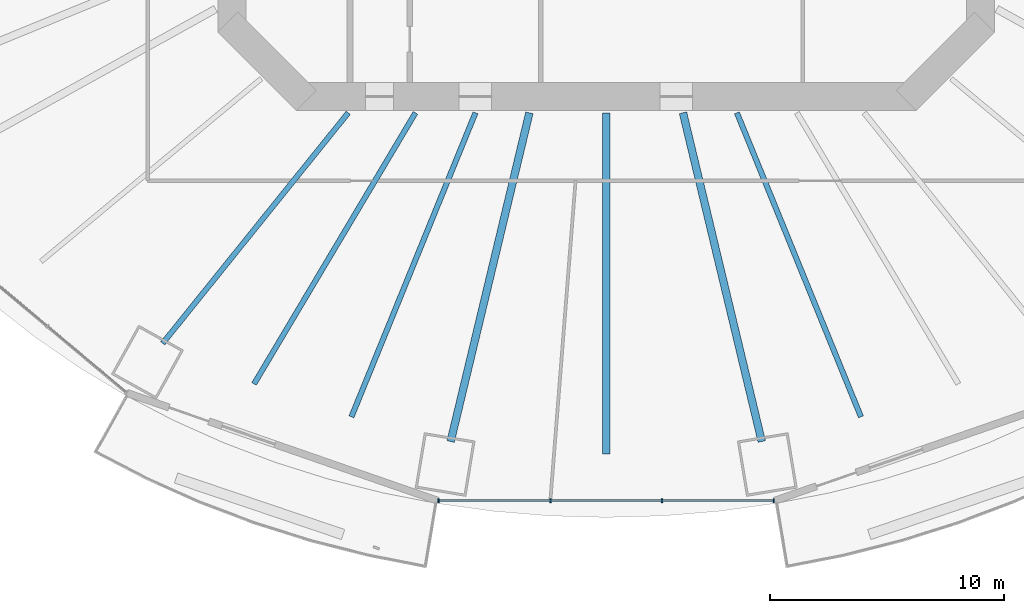
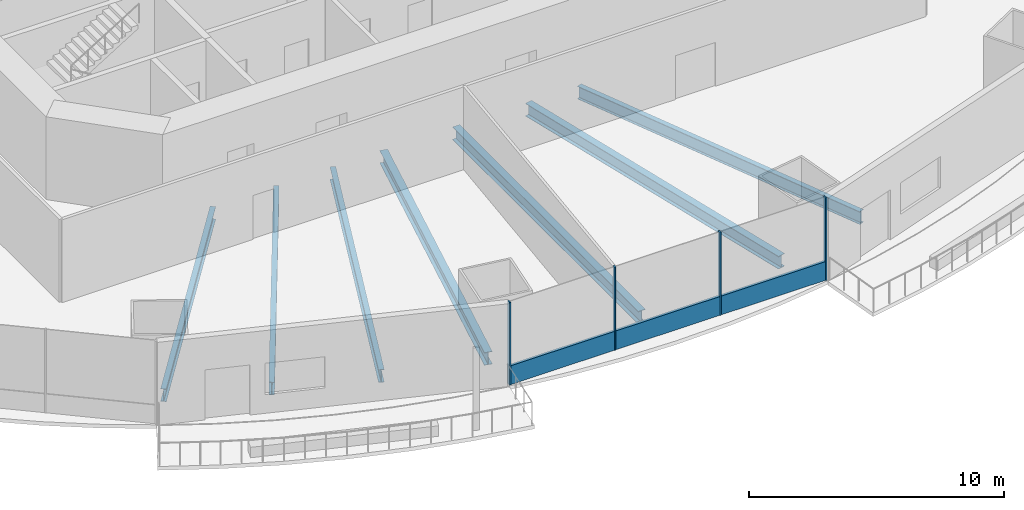
# One storey, part 5 of 27: 7 beams, 5 members, 1 element without a shape of its own.
"""IFC4 building model written with IfcOpenShell, lengths in metres."""

from ifc_helpers import new_model, si_unit, direction, frame, origin, origin_2d, place, context, subcontext, project, spatial, rectangle, i_section, extrude, material, material_profile, profile_set, type_object, element, aggregate, save


model = new_model("IFC4")

# Units and contexts
model_context = context("Model", 3, precision=1e-05, world=origin(), true_north=direction((0.0, 1.0)))
body_context = subcontext(model_context, "Body", "Model", "MODEL_VIEW")
ifc_project = project(units=[si_unit("LENGTHUNIT", "METRE"), si_unit("AREAUNIT", "SQUARE_METRE"), si_unit("VOLUMEUNIT", "CUBIC_METRE"), si_unit("PLANEANGLEUNIT", "RADIAN"), si_unit("MASSUNIT", "GRAM", prefix="KILO")], contexts=[model_context])

# Site, building, storey
site_placement = place(None, origin())
site = spatial("IfcSite", under=ifc_project, at=site_placement, CompositionType="ELEMENT")
building_placement = place(site_placement, origin())
building = spatial("IfcBuilding", under=site, at=building_placement, Name="Marenthal Gate Tower", CompositionType="ELEMENT")
storey_placement = place(building_placement, frame((0.0, 0.0, 33.0)))
storey = spatial("IfcBuildingStorey", under=building, at=storey_placement, Name="L04", CompositionType="ELEMENT", Elevation=33.0)

# Curtain wall, members
ifc_material_1 = material(Name="Aluminium and glass", Category="aluminium")
curtain_wall_type = type_object("IfcCurtainWallType", Name="Curtain wall typical low", PredefinedType="NOTDEFINED", material=ifc_material_1)
curtain_wall_placement = place(storey_placement, origin())
curtain_wall = element("IfcCurtainWall", 1, at=curtain_wall_placement, inside=storey, type_object=curtain_wall_type, Name="Curtain wall L04 bay 12", PredefinedType="NOTDEFINED")
ifc_material_2 = material(Name="Aluminium", Category="aluminium")
ifc_material_profile_1 = material_profile(ifc_material_2, rectangle(XDim=0.159912109375, YDim=0.06005859375, at=origin_2d()), Name="60x160 aluminium mullion")
ifc_profile_set_1 = profile_set([ifc_material_profile_1], Name="Aluminium")
member_type_1 = type_object("IfcMemberType", Name="Mullion 60x160 typical low", PredefinedType="MULLION", material=ifc_profile_set_1)
member_1_placement = place(storey_placement, frame((-7.164794921875, -30.28662109375, 0.0), z_axis=(0.0, 0.0, 1.0), x_axis=(0.0, 1.0, 0.0)))
member_1 = element("IfcMember", 2, at=member_1_placement, type_object=member_type_1, Name="Mullion L04 bay 12.1", PredefinedType="MULLION", context=body_context, shape_type="SweptSolid", body=[
    extrude(rectangle(XDim=0.159912109375, YDim=0.06005859375, at=origin_2d()), origin(), (0.0, 0.0, 1.0), 3.969970703125),
])
member_2_placement = place(storey_placement, frame((-2.38818359375, -30.28662109375, 0.0), z_axis=(0.0, 0.0, 1.0), x_axis=(0.0, 1.0, 0.0)))
member_2 = element("IfcMember", 3, at=member_2_placement, type_object=member_type_1, Name="Mullion L04 bay 12.2", PredefinedType="MULLION", context=body_context, shape_type="SweptSolid", body=[
    extrude(rectangle(XDim=0.159912109375, YDim=0.06005859375, at=origin_2d()), origin(), (0.0, 0.0, 1.0), 3.969970703125),
])
member_3_placement = place(storey_placement, frame((2.38818359375, -30.28662109375, 0.0), z_axis=(0.0, 0.0, 1.0), x_axis=(0.0, 1.0, 0.0)))
member_3 = element("IfcMember", 4, at=member_3_placement, type_object=member_type_1, Name="Mullion L04 bay 12.3", PredefinedType="MULLION", context=body_context, shape_type="SweptSolid", body=[
    extrude(rectangle(XDim=0.159912109375, YDim=0.06005859375, at=origin_2d()), origin(), (0.0, 0.0, 1.0), 3.969970703125),
])
member_4_placement = place(storey_placement, frame((7.164794921875, -30.28662109375, 0.0), z_axis=(0.0, 0.0, 1.0), x_axis=(0.0, 1.0, 0.0)))
member_4 = element("IfcMember", 5, at=member_4_placement, type_object=member_type_1, Name="Mullion L04 bay 12.4", PredefinedType="MULLION", context=body_context, shape_type="SweptSolid", body=[
    extrude(rectangle(XDim=0.159912109375, YDim=0.06005859375, at=origin_2d()), origin(), (0.0, 0.0, 1.0), 3.969970703125),
])
ifc_material_3 = material(Name="Aluminium", Category="aluminium")
ifc_material_profile_2 = material_profile(ifc_material_3, rectangle(XDim=0.1201171875, YDim=0.89990234375, at=origin_2d()), Name="120x900 aluminium transom")
ifc_profile_set_2 = profile_set([ifc_material_profile_2], Name="Aluminium")
member_type_2 = type_object("IfcMemberType", Name="Transom 120x900 typical low", PredefinedType="USERDEFINED", material=ifc_profile_set_2)
member_5_placement = place(storey_placement, frame((-7.135009765625, -30.28662109375, 0.449951171875), z_axis=(1.0, 0.0, 0.0), x_axis=(0.0, 1.0, 0.0)))
member_5 = element("IfcMember", 6, at=member_5_placement, type_object=member_type_2, Name="Transom L04 bay 12", ObjectType="TRANSOM", PredefinedType="USERDEFINED", context=body_context, shape_type="SweptSolid", body=[
    extrude(rectangle(XDim=0.1201171875, YDim=0.89990234375, at=origin_2d()), origin(), (0.0, 0.0, 1.0), 14.27001953125),
])
aggregate(curtain_wall, [member_1, member_2, member_3, member_4, member_5])

# Beams
ifc_material_4 = material(Name="Steel S355", Category="steel")
ifc_material_profile_3 = material_profile(ifc_material_4, i_section(OverallWidth=0.22900390625, OverallDepth=0.612060546875, WebThickness=0.011962890625, FlangeThickness=0.01953125, FilletRadius=0.0126953125, at=origin_2d()), Name="W610X125")
ifc_profile_set_3 = profile_set([ifc_material_profile_3], Name="Steel S355")
beam_type_1 = type_object("IfcBeamType", Name="W610X125 beam", PredefinedType="BEAM", material=ifc_profile_set_3)
beam_1_placement = place(storey_placement, frame((-18.962646484375, -23.555908203125, -0.486083984375), z_axis=(0.627068808797, 0.778963868889, 0.0), x_axis=(-0.778963868889, 0.627068808797, 0.0)))
element("IfcBeam", 7, at=beam_1_placement, inside=storey, type_object=beam_type_1, Name="BM-L04-11", PredefinedType="BEAM", context=body_context, shape_type="SweptSolid", body=[
    extrude(i_section(OverallWidth=0.22900390625, OverallDepth=0.612060546875, WebThickness=0.011962890625, FlangeThickness=0.01953125, FilletRadius=0.0126953125, at=origin_2d()), origin(), (0.0, 0.0, 1.0), 12.652587890625),
])
beam_2_placement = place(storey_placement, frame((-15.05419921875, -25.2900390625, -0.486083984375), z_axis=(0.51150072514, 0.859282845273, 0.0), x_axis=(-0.859282845273, 0.51150072514, 0.0)))
element("IfcBeam", 8, at=beam_2_placement, inside=storey, type_object=beam_type_1, Name="BM-L04-32", PredefinedType="BEAM", context=body_context, shape_type="SweptSolid", body=[
    extrude(i_section(OverallWidth=0.22900390625, OverallDepth=0.612060546875, WebThickness=0.011962890625, FlangeThickness=0.01953125, FilletRadius=0.0126953125, at=origin_2d()), origin(), (0.0, 0.0, 1.0), 13.488037109375),
])
for number, where, z_axis, x_axis, name in (
    (9, (-10.89111328125, -26.697509765625, -0.486083984375), (0.377721132555, 0.925919405791, 0.0), (-0.925919405791, 0.377721132555, 0.0), "BM-L04-33"),
    (10, (10.89111328125, -26.697509765625, -0.486083984375), (-0.377721132555, 0.925919405791, 0.0), (-0.925919405791, -0.377721132555, 0.0), "BM-L04-35"),
):
    element("IfcBeam", number, at=place(storey_placement, frame(where, z_axis=z_axis, x_axis=x_axis)), inside=storey, type_object=beam_type_1, Name=name, PredefinedType="BEAM", context=body_context, shape_type="SweptSolid", body=[
        extrude(i_section(OverallWidth=0.22900390625, OverallDepth=0.612060546875, WebThickness=0.011962890625, FlangeThickness=0.01953125, FilletRadius=0.0126953125, at=origin_2d()), origin(), (0.0, 0.0, 1.0), 14.037353515625),
    ])
ifc_material_5 = material(Name="Steel S355", Category="steel")
ifc_material_profile_4 = material_profile(ifc_material_5, i_section(OverallWidth=0.324951171875, OverallDepth=0.612060546875, WebThickness=0.0126953125, FlangeThickness=0.01904296875, FilletRadius=0.0126953125, at=origin_2d()), Name="W610X155")
ifc_profile_set_4 = profile_set([ifc_material_profile_4], Name="Steel S355")
beam_type_2 = type_object("IfcBeamType", Name="W610X155 beam", PredefinedType="BEAM", material=ifc_profile_set_4)
for number, where, z_axis, x_axis, name in (
    (11, (-6.65087890625, -27.7529296875, -0.486083984375), (0.233043227241, 0.972466376919, 0.0), (-0.972466376919, 0.233043227241, 0.0), "BM-L04-12"),
    (12, (6.65087890625, -27.7529296875, -0.486083984375), (-0.233043227241, 0.972466376919, 0.0), (-0.972466376919, -0.233043227241, 0.0), "BM-L04-13"),
):
    element("IfcBeam", number, at=place(storey_placement, frame(where, z_axis=z_axis, x_axis=x_axis)), inside=storey, type_object=beam_type_2, Name=name, PredefinedType="BEAM", context=body_context, shape_type="SweptSolid", body=[
        extrude(i_section(OverallWidth=0.324951171875, OverallDepth=0.612060546875, WebThickness=0.0126953125, FlangeThickness=0.01904296875, FilletRadius=0.0126953125, at=origin_2d()), origin(), (0.0, 0.0, 1.0), 14.450927734375),
    ])
beam_3_placement = place(storey_placement, frame((0.0, -28.296630859375, -0.486083984375), z_axis=(0.0, 1.0, 0.0), x_axis=(-1.0, 0.0, 0.0)))
element("IfcBeam", 13, at=beam_3_placement, inside=storey, type_object=beam_type_2, Name="BM-L04-34", PredefinedType="BEAM", context=body_context, shape_type="SweptSolid", body=[
    extrude(i_section(OverallWidth=0.324951171875, OverallDepth=0.612060546875, WebThickness=0.0126953125, FlangeThickness=0.01904296875, FilletRadius=0.0126953125, at=origin_2d()), origin(), (0.0, 0.0, 1.0), 14.5966796875),
])

save(model, "model.ifc")
